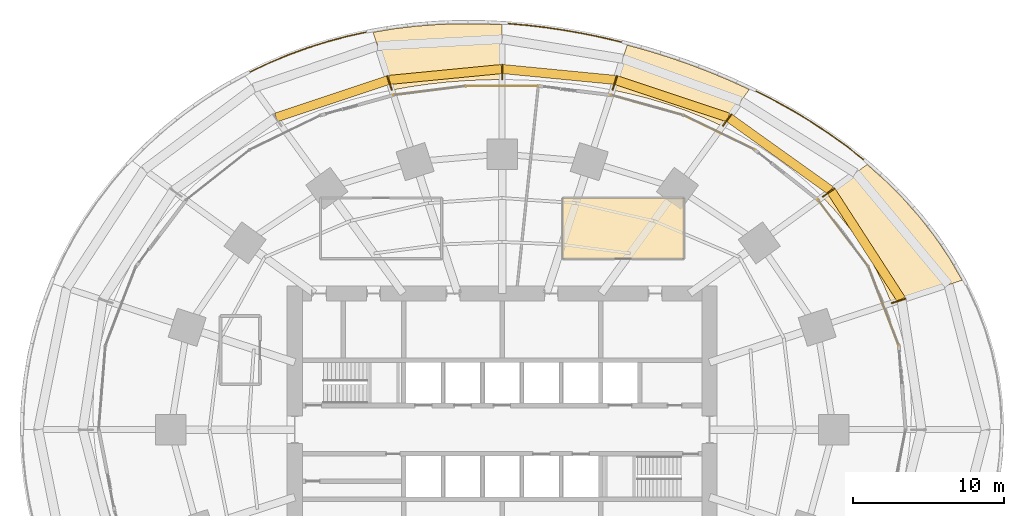
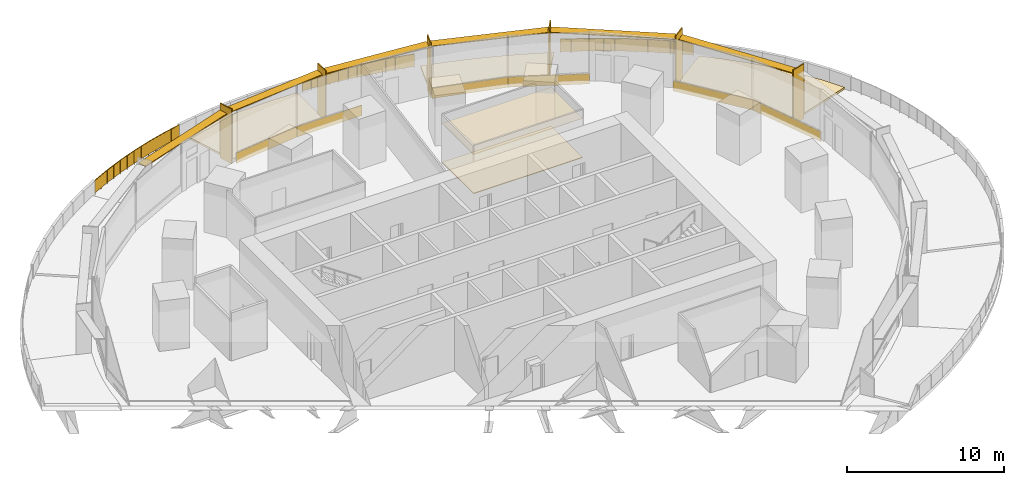
# One storey, part 20 of 20: 12 shading devices, 11 coverings, 3 railings.
"""IFC4 building model written with IfcOpenShell, lengths in metres."""

from ifc_helpers import new_model, si_unit, direction, frame, origin, origin_2d, place, context, subcontext, project, spatial, polyline, rectangle, circle, outline, extrude, material, layer, layer_set, type_object, element, save


model = new_model("IFC4")

# Units and contexts
model_context = context("Model", 3, precision=1e-05, world=origin(), true_north=direction((0.0, 1.0)))
body_context = subcontext(model_context, "Body", "Model", "MODEL_VIEW")
ifc_project = project(units=[si_unit("LENGTHUNIT", "METRE"), si_unit("AREAUNIT", "SQUARE_METRE"), si_unit("VOLUMEUNIT", "CUBIC_METRE"), si_unit("PLANEANGLEUNIT", "RADIAN"), si_unit("MASSUNIT", "GRAM", prefix="KILO")], contexts=[model_context])

# Site, building, storey
site_placement = place(None, origin())
site = spatial("IfcSite", under=ifc_project, at=site_placement, CompositionType="ELEMENT")
building_placement = place(site_placement, origin())
building = spatial("IfcBuilding", under=site, at=building_placement, Name="Marramba Exchange Tower", CompositionType="ELEMENT")
storey_placement = place(building_placement, frame((0.0, 0.0, 19.60009765625)))
storey = spatial("IfcBuildingStorey", under=building, at=storey_placement, Name="L04", CompositionType="ELEMENT", Elevation=19.60009765625)

# Shading devices
ifc_material_1 = material(Name="Aluminium blade, timber-look bronze finish", Category="wood")
ifc_layer_1 = layer(ifc_material_1, 0.080078125)
ifc_layer_set_1 = layer_set([ifc_layer_1], Name="Floor-edge blade 1000x80")
shading_device_type_1 = type_object("IfcShadingDeviceType", Name="Floor-edge blade 1000x80", PredefinedType="USERDEFINED", material=ifc_layer_set_1)
for number, where, z_axis, x_axis, name in (
    (1, (26.193115234375, 8.5107421875, -0.2001953125), (0.0, 0.0, 1.0), (0.951056516295, 0.309016994375, 0.0), "Floor-edge blade FB1 L04 TC02"),
    (2, (21.56298828125, 15.66650390625, -0.2001953125), (0.0, 0.0, 1.0), (0.809016994375, 0.587785252292, 0.0), "Floor-edge blade FB1 L04 TC03"),
    (3, (14.857666015625, 20.449951171875, -0.2001953125), (0.0, 0.0, 1.0), (0.587785252292, 0.809016994375, 0.0), "Floor-edge blade FB1 L04 TC04"),
    (4, (7.444091796875, 22.910888671875, -0.2001953125), (0.0, 0.0, 1.0), (0.309016994375, 0.951056516295, 0.0), "Floor-edge blade FB1 L04 TC05"),
    (5, (0.0, 23.6279296875, -0.2001953125), (0.0, 0.0, 1.0), (0.0, 1.0, 0.0), "Floor-edge blade FB1 L04 TC06"),
    (6, (-7.444091796875, 22.910888671875, -0.2001953125), (0.0, 0.0, 1.0), (-0.309016994375, 0.951056516295, 0.0), "Floor-edge blade FB1 L04 TC07"),
):
    element("IfcShadingDevice", number, at=place(storey_placement, frame(where, z_axis=z_axis, x_axis=x_axis)), inside=storey, type_object=shading_device_type_1, Name=name, ObjectType="FIN", PredefinedType="USERDEFINED", context=body_context, shape_type="SweptSolid", body=[
        extrude(rectangle(XDim=1.0, YDim=0.080078125, at=origin_2d()), origin(), (0.0, 0.0, 1.0), 4.239990234375),
    ])

# Coverings
ifc_material_2 = material(Name="Extensive green roof: growing medium on drainage cell, filter fabric and root-barrier membrane")
ifc_layer_2 = layer(ifc_material_2, 0.14990234375)
ifc_layer_set_2 = layer_set([ifc_layer_2], Name="Planted roof build-up 150")
covering_type_1 = type_object("IfcCoveringType", Name="Planted roof build-up 150", PredefinedType="ROOFING", material=ifc_layer_set_2)
covering_1_placement = place(storey_placement, origin())
element("IfcCovering", 7, at=covering_1_placement, inside=storey, type_object=covering_type_1, Name="Planted roof build-up L04 bay 02", PredefinedType="ROOFING", context=body_context, shape_type="SweptSolid", body=[
    extrude(outline(polyline([(25.717529296875, 8.356201171875), (25.16162109375, 9.65869140625), (24.516357421875, 10.915283203125), (23.786865234375, 12.1201171875), (22.9794921875, 13.267333984375), (22.10107421875, 14.3525390625), (21.158447265625, 15.37255859375), (24.11083984375, 17.517578125), (25.3154296875, 16.440185546875), (26.4716796875, 15.283447265625), (27.568359375, 14.046875), (28.59423828125, 12.73095703125), (29.537353515625, 11.33837890625), (30.385498046875, 9.872802734375), (30.385498046875, 9.872802734375), (25.717529296875, 8.356201171875)])), origin(), (0.0, 0.0, 1.0), 0.14990234375),
])
covering_2_placement = place(storey_placement, origin())
element("IfcCovering", 8, at=covering_2_placement, inside=storey, type_object=covering_type_1, Name="Planted roof build-up L04 bay 04", PredefinedType="ROOFING", context=body_context, shape_type="SweptSolid", body=[
    extrude(outline(polyline([(14.563720703125, 20.04541015625), (13.3701171875, 20.588134765625), (12.164306640625, 21.069091796875), (10.9501953125, 21.4912109375), (9.7314453125, 21.857421875), (8.5107421875, 22.1708984375), (7.289794921875, 22.435302734375), (8.25537109375, 25.407470703125), (9.60888671875, 25.03173828125), (10.95849609375, 24.61328125), (12.30517578125, 24.150146484375), (13.649169921875, 23.64111328125), (14.990478515625, 23.083251953125), (16.328125, 22.4736328125), (14.563720703125, 20.04541015625)])), origin(), (0.0, 0.0, 1.0), 0.14990234375),
])
covering_3_placement = place(storey_placement, origin())
element("IfcCovering", 9, at=covering_3_placement, inside=storey, type_object=covering_type_1, Name="Planted roof build-up L04 bay 06", PredefinedType="ROOFING", context=body_context, shape_type="SweptSolid", body=[
    extrude(outline(polyline([(0.0, 23.1279296875), (-1.211181640625, 23.109619140625), (-2.423095703125, 23.053955078125), (-3.636474609375, 22.96044921875), (-4.85205078125, 22.827392578125), (-6.06982421875, 22.6533203125), (-7.289794921875, 22.435302734375), (-8.529541015625, 26.2509765625), (-8.529541015625, 26.2509765625), (-7.096923828125, 26.486083984375), (-5.666015625, 26.65673828125), (-4.2392578125, 26.765380859375), (-2.818359375, 26.815185546875), (-1.405029296875, 26.80908203125), (0.0, 26.75), (0.0, 23.1279296875)])), origin(), (0.0, 0.0, 1.0), 0.14990234375),
])
ifc_material_3 = material(Name="Steel raised access floor panels", Category="steel")
ifc_layer_3 = layer(ifc_material_3, 0.050048828125)
ifc_layer_set_3 = layer_set([ifc_layer_3], Name="Raised access floor 300")
covering_type_2 = type_object("IfcCoveringType", Name="Raised access floor 300", PredefinedType="FLOORING", material=ifc_layer_set_3)
covering_4_placement = place(storey_placement, frame((0.0, 0.0, 0.25)))
element("IfcCovering", 10, at=covering_4_placement, inside=storey, type_object=covering_type_2, Name="Raised access floor RAF1 L04 Incident Management Room", PredefinedType="FLOORING", context=body_context, shape_type="SweptSolid", body=[
    extrude(outline(polyline([(12.0, 11.300048828125), (4.0, 11.300048828125), (4.0, 15.300048828125), (12.0, 15.300048828125), (12.0, 11.300048828125)])), origin(), (0.0, 0.0, 1.0), 0.0498046875),
])

# Shading devices
ifc_material_4 = material(Name="Aluminium sunshade, bronze anodised", Category="aluminium")
ifc_layer_4 = layer(ifc_material_4, 0.06005859375)
ifc_layer_set_4 = layer_set([ifc_layer_4], Name="SUNSHADE blade 600x60")
shading_device_type_2 = type_object("IfcShadingDeviceType", Name="SUNSHADE blade 600x60", PredefinedType="USERDEFINED", material=ifc_layer_set_4)
shading_device_1_placement = place(storey_placement, frame((24.053955078125, 12.17822265625, 3.4599609375), z_axis=(0.0, 0.0, 1.0), x_axis=(-0.542596596948, 0.839993412462, 0.0)))
element("IfcShadingDevice", 11, at=shading_device_1_placement, inside=storey, type_object=shading_device_type_2, Name="Sunshade SS1 L04 bay 02", ObjectType="SUNSHADE", PredefinedType="USERDEFINED", context=body_context, shape_type="SweptSolid", body=[
    extrude(rectangle(XDim=8.50537109375, YDim=0.60009765625, at=origin_2d()), origin(), (0.0, 0.0, 1.0), 0.06005859375),
])
shading_device_2_placement = place(storey_placement, frame((18.35009765625, 18.19775390625, 3.4599609375), z_axis=(0.0, 0.0, 1.0), x_axis=(-0.813362978246, 0.581756534659, 0.0)))
element("IfcShadingDevice", 12, at=shading_device_2_placement, inside=storey, type_object=shading_device_type_2, Name="Sunshade SS1 L04 bay 03", ObjectType="SUNSHADE", PredefinedType="USERDEFINED", context=body_context, shape_type="SweptSolid", body=[
    extrude(rectangle(XDim=8.218505859375, YDim=0.60009765625, at=origin_2d()), origin(), (0.0, 0.0, 1.0), 0.06005859375),
])
shading_device_3_placement = place(storey_placement, frame((11.24072265625, 21.8564453125, 3.4599609375), z_axis=(0.0, 0.0, 1.0), x_axis=(-0.948697789537, 0.316184288235, 0.0)))
element("IfcShadingDevice", 13, at=shading_device_3_placement, inside=storey, type_object=shading_device_type_2, Name="Sunshade SS1 L04 bay 04", ObjectType="SUNSHADE", PredefinedType="USERDEFINED", context=body_context, shape_type="SweptSolid", body=[
    extrude(rectangle(XDim=7.793212890625, YDim=0.60009765625, at=origin_2d()), origin(), (0.0, 0.0, 1.0), 0.06005859375),
])
for number, where, z_axis, x_axis, name in (
    (14, (3.7529296875, 23.464599609375, 3.4599609375), (0.0, 0.0, 1.0), (-0.995342876176, 0.096397919302, 0.0), "Sunshade SS1 L04 bay 05"),
    (15, (-3.7529296875, 23.464599609375, 3.4599609375), (0.0, 0.0, 1.0), (-0.995342876176, -0.096397919302, 0.0), "Sunshade SS1 L04 bay 06"),
):
    element("IfcShadingDevice", number, at=place(storey_placement, frame(where, z_axis=z_axis, x_axis=x_axis)), inside=storey, type_object=shading_device_type_2, Name=name, ObjectType="SUNSHADE", PredefinedType="USERDEFINED", context=body_context, shape_type="SweptSolid", body=[
        extrude(rectangle(XDim=7.461181640625, YDim=0.60009765625, at=origin_2d()), origin(), (0.0, 0.0, 1.0), 0.06005859375),
    ])
shading_device_4_placement = place(storey_placement, frame((-11.24072265625, 21.8564453125, 3.4599609375), z_axis=(0.0, 0.0, 1.0), x_axis=(-0.948697789537, -0.316184288235, 0.0)))
element("IfcShadingDevice", 16, at=shading_device_4_placement, inside=storey, type_object=shading_device_type_2, Name="Sunshade SS1 L04 bay 07", ObjectType="SUNSHADE", PredefinedType="USERDEFINED", context=body_context, shape_type="SweptSolid", body=[
    extrude(rectangle(XDim=7.793212890625, YDim=0.60009765625, at=origin_2d()), origin(), (0.0, 0.0, 1.0), 0.06005859375),
])

# Coverings
ifc_material_5 = material(Name="Aluminium spandrel panel, bronze anodised, insulated", Category="aluminium")
ifc_layer_5 = layer(ifc_material_5, 0.050048828125)
ifc_layer_set_5 = layer_set([ifc_layer_5], Name="Spandrel panel 800")
covering_type_3 = type_object("IfcCoveringType", Name="Spandrel panel 800", PredefinedType="CLADDING", material=ifc_layer_set_5)
covering_5_placement = place(storey_placement, frame((25.198974609375, 8.171142578125, 0.0), z_axis=(0.0, 0.0, 1.0), x_axis=(-0.359525512701, 0.933135255854, 0.0)))
element("IfcCovering", 17, at=covering_5_placement, inside=storey, type_object=covering_type_3, Name="Spandrel panel SP1 L04 F02", PredefinedType="CLADDING", context=body_context, shape_type="SweptSolid", body=[
    extrude(rectangle(XDim=5.57666015625, YDim=0.050048828125, at=origin_2d()), origin(), (0.0, 0.0, 1.0), 0.800048828125),
])
covering_6_placement = place(storey_placement, frame((22.535888671875, 12.969970703125, 0.0), z_axis=(0.0, 0.0, 1.0), x_axis=(-0.602989761876, 0.797748924834, 0.0)))
element("IfcCovering", 18, at=covering_6_placement, inside=storey, type_object=covering_type_3, Name="Spandrel panel SP1 L04 F03", PredefinedType="CLADDING", context=body_context, shape_type="SweptSolid", body=[
    extrude(rectangle(XDim=5.5078125, YDim=0.050048828125, at=origin_2d()), origin(), (0.0, 0.0, 1.0), 0.800048828125),
])
covering_7_placement = place(storey_placement, frame((14.324951171875, 19.634765625, 0.0), z_axis=(0.0, 0.0, 1.0), x_axis=(-0.899963432359, 0.435965389012, 0.0)))
element("IfcCovering", 19, at=covering_7_placement, inside=storey, type_object=covering_type_3, Name="Spandrel panel SP1 L04 F05", PredefinedType="CLADDING", context=body_context, shape_type="SweptSolid", body=[
    extrude(rectangle(XDim=5.1904296875, YDim=0.050048828125, at=origin_2d()), origin(), (0.0, 0.0, 1.0), 0.800048828125),
])
covering_8_placement = place(storey_placement, frame((9.58544921875, 21.434326171875, 0.0), z_axis=(0.0, 0.0, 1.0), x_axis=(-0.963472098411, 0.267808729475, 0.0)))
element("IfcCovering", 20, at=covering_8_placement, inside=storey, type_object=covering_type_3, Name="Spandrel panel SP1 L04 F06", PredefinedType="CLADDING", context=body_context, shape_type="SweptSolid", body=[
    extrude(rectangle(XDim=4.989990234375, YDim=0.050048828125, at=origin_2d()), origin(), (0.0, 0.0, 1.0), 0.800048828125),
])
covering_9_placement = place(storey_placement, frame((0.0, 22.7060546875, 0.0), z_axis=(0.0, 0.0, 1.0), x_axis=(-1.0, 0.0, 0.0)))
element("IfcCovering", 21, at=covering_9_placement, inside=storey, type_object=covering_type_3, Name="Spandrel panel SP1 L04 F08", PredefinedType="CLADDING", context=body_context, shape_type="SweptSolid", body=[
    extrude(rectangle(XDim=4.77294921875, YDim=0.050048828125, at=origin_2d()), origin(), (0.0, 0.0, 1.0), 0.800048828125),
])
covering_10_placement = place(storey_placement, frame((-4.783935546875, 22.404296875, 0.0), z_axis=(0.0, 0.0, 1.0), x_axis=(-0.992172768222, -0.124872727203, 0.0)))
element("IfcCovering", 22, at=covering_10_placement, inside=storey, type_object=covering_type_3, Name="Spandrel panel SP1 L04 F09", PredefinedType="CLADDING", context=body_context, shape_type="SweptSolid", body=[
    extrude(rectangle(XDim=4.832763671875, YDim=0.050048828125, at=origin_2d()), origin(), (0.0, 0.0, 1.0), 0.800048828125),
])
ifc_material_6 = material(Name="Mineral fibre ceiling tiles", Category="gypsum")
ifc_layer_6 = layer(ifc_material_6, 0.02001953125)
ifc_layer_set_6 = layer_set([ifc_layer_6], Name="Suspended ceiling 20")
covering_type_4 = type_object("IfcCoveringType", Name="Suspended ceiling 20", PredefinedType="CEILING", material=ifc_layer_set_6)
covering_11_placement = place(storey_placement, frame((0.0, 0.0, 3.2998046875)))
element("IfcCovering", 23, at=covering_11_placement, inside=storey, type_object=covering_type_4, Name="Ceiling CL1 L04 Incident Management Room", PredefinedType="CEILING", context=body_context, shape_type="SweptSolid", body=[
    extrude(outline(polyline([(12.0, 11.300048828125), (4.0, 11.300048828125), (4.0, 15.300048828125), (12.0, 15.300048828125), (12.0, 11.300048828125)])), origin(), (0.0, 0.0, 1.0), 0.02001953125),
])

# Railings
ifc_material_7 = material(Name="Bronze anodised aluminium and laminated glass guard", Category="aluminium")
railing_type = type_object("IfcRailingType", Name="Terrace guard 1100", PredefinedType="GUARDRAIL", material=ifc_material_7)
railing_1_placement = place(storey_placement, frame((23.878173828125, 17.8388671875, 0.0)))
element("IfcRailing", 24, at=railing_1_placement, inside=storey, type_object=railing_type, Name="Terrace guard GR1 L04 bay 03", PredefinedType="GUARDRAIL", context=body_context, shape_type="SweptSolid", body=[
    extrude(circle(Radius=0.02392578125, at=origin_2d()), frame((0.0, 0.0, 1.076171875), z_axis=(-0.785281705909, 0.61913862936, 0.0), x_axis=(-0.61913862936, -0.785281705909, 0.0)), (0.0, 0.0, 1.0), 1.456298828125),
    extrude(circle(Radius=0.02392578125, at=origin_2d()), frame((-1.1435546875, 0.901611328125, 1.076171875), z_axis=(-0.811975150724, 0.583692003206, 0.0), x_axis=(-0.583692003206, -0.811975150724, 0.0)), (0.0, 0.0, 1.0), 1.4384765625),
    extrude(circle(Radius=0.02392578125, at=origin_2d()), frame((-2.3115234375, 1.7412109375, 1.076171875), z_axis=(-0.835315284009, 0.549771203594, 0.0), x_axis=(-0.549771203594, -0.835315284009, 0.0)), (0.0, 0.0, 1.0), 1.420166015625),
    extrude(circle(Radius=0.02392578125, at=origin_2d()), frame((-3.497802734375, 2.52197265625, 1.076171875), z_axis=(-0.856199613572, 0.516645160356, 0.0), x_axis=(-0.516645160356, -0.856199613572, 0.0)), (0.0, 0.0, 1.0), 1.402099609375),
    extrude(circle(Radius=0.02392578125, at=origin_2d()), frame((-4.6982421875, 3.246337890625, 1.076171875), z_axis=(-0.874415044311, 0.485178658108, 0.0), x_axis=(-0.485178658108, -0.874415044311, 0.0)), (0.0, 0.0, 1.0), 1.38427734375),
    extrude(circle(Radius=0.02392578125, at=origin_2d()), frame((-5.90869140625, 3.91796875, 1.076171875), z_axis=(-0.890754492712, 0.454484800311, 0.0), x_axis=(-0.454484800311, -0.890754492712, 0.0)), (0.0, 0.0, 1.0), 1.3671875),
    extrude(circle(Radius=0.02099609375, at=origin_2d()), origin(), (0.0, 0.0, 1.0), 1.052001953125),
    extrude(circle(Radius=0.02099609375, at=origin_2d()), frame((-0.57177734375, 0.45068359375, 0.0)), (0.0, 0.0, 1.0), 1.052001953125),
    extrude(circle(Radius=0.02099609375, at=origin_2d()), frame((-1.1435546875, 0.901611328125, 0.0)), (0.0, 0.0, 1.0), 1.052001953125),
    extrude(circle(Radius=0.02099609375, at=origin_2d()), frame((-1.7275390625, 1.3212890625, 0.0)), (0.0, 0.0, 1.0), 1.052001953125),
    extrude(circle(Radius=0.02099609375, at=origin_2d()), frame((-2.3115234375, 1.7412109375, 0.0)), (0.0, 0.0, 1.0), 1.052001953125),
    extrude(circle(Radius=0.02099609375, at=origin_2d()), frame((-2.90478515625, 2.131591796875, 0.0)), (0.0, 0.0, 1.0), 1.052001953125),
    extrude(circle(Radius=0.02099609375, at=origin_2d()), frame((-3.497802734375, 2.52197265625, 0.0)), (0.0, 0.0, 1.0), 1.052001953125),
    extrude(circle(Radius=0.02099609375, at=origin_2d()), frame((-4.09814453125, 2.88427734375, 0.0)), (0.0, 0.0, 1.0), 1.052001953125),
    extrude(circle(Radius=0.02099609375, at=origin_2d()), frame((-4.6982421875, 3.246337890625, 0.0)), (0.0, 0.0, 1.0), 1.052001953125),
    extrude(circle(Radius=0.02099609375, at=origin_2d()), frame((-5.303466796875, 3.58203125, 0.0)), (0.0, 0.0, 1.0), 1.052001953125),
    extrude(circle(Radius=0.02099609375, at=origin_2d()), frame((-5.90869140625, 3.91796875, 0.0)), (0.0, 0.0, 1.0), 1.052001953125),
    extrude(circle(Radius=0.02099609375, at=origin_2d()), frame((-6.517578125, 4.228515625, 0.0)), (0.0, 0.0, 1.0), 1.052001953125),
    extrude(circle(Radius=0.02099609375, at=origin_2d()), frame((-7.12646484375, 4.539306640625, 0.0)), (0.0, 0.0, 1.0), 1.052001953125),
    extrude(rectangle(XDim=0.710205078125, YDim=0.02001953125, at=origin_2d()), frame((-0.285888671875, 0.225341796875, 0.10009765625), z_axis=(0.0, 0.0, 1.0), x_axis=(-0.785281705909, 0.61913862936, 0.0)), (0.0, 0.0, 1.0), 0.951904296875),
    extrude(rectangle(XDim=0.710205078125, YDim=0.02001953125, at=origin_2d()), frame((-0.857666015625, 0.67626953125, 0.10009765625), z_axis=(0.0, 0.0, 1.0), x_axis=(-0.785281705909, 0.61913862936, 0.0)), (0.0, 0.0, 1.0), 0.951904296875),
    extrude(rectangle(XDim=0.701171875, YDim=0.02001953125, at=origin_2d()), frame((-1.435546875, 1.111572265625, 0.10009765625), z_axis=(0.0, 0.0, 1.0), x_axis=(-0.811975150724, 0.583692003206, 0.0)), (0.0, 0.0, 1.0), 0.951904296875),
    extrude(rectangle(XDim=0.701171875, YDim=0.02001953125, at=origin_2d()), frame((-2.01953125, 1.53125, 0.10009765625), z_axis=(0.0, 0.0, 1.0), x_axis=(-0.811975150724, 0.583692003206, 0.0)), (0.0, 0.0, 1.0), 0.951904296875),
    extrude(rectangle(XDim=0.692138671875, YDim=0.02001953125, at=origin_2d()), frame((-2.608154296875, 1.9365234375, 0.10009765625), z_axis=(0.0, 0.0, 1.0), x_axis=(-0.835315284009, 0.549771203594, 0.0)), (0.0, 0.0, 1.0), 0.951904296875),
    extrude(rectangle(XDim=0.692138671875, YDim=0.02001953125, at=origin_2d()), frame((-3.201171875, 2.32666015625, 0.10009765625), z_axis=(0.0, 0.0, 1.0), x_axis=(-0.835315284009, 0.549771203594, 0.0)), (0.0, 0.0, 1.0), 0.951904296875),
    extrude(rectangle(XDim=0.68310546875, YDim=0.02001953125, at=origin_2d()), frame((-3.7978515625, 2.703125, 0.10009765625), z_axis=(0.0, 0.0, 1.0), x_axis=(-0.856199613572, 0.516645160356, 0.0)), (0.0, 0.0, 1.0), 0.951904296875),
    extrude(rectangle(XDim=0.68310546875, YDim=0.02001953125, at=origin_2d()), frame((-4.398193359375, 3.065185546875, 0.10009765625), z_axis=(0.0, 0.0, 1.0), x_axis=(-0.856199613572, 0.516645160356, 0.0)), (0.0, 0.0, 1.0), 0.951904296875),
    extrude(rectangle(XDim=0.674072265625, YDim=0.02001953125, at=origin_2d()), frame((-5.0009765625, 3.414306640625, 0.10009765625), z_axis=(0.0, 0.0, 1.0), x_axis=(-0.874415044311, 0.485178658108, 0.0)), (0.0, 0.0, 1.0), 0.951904296875),
    extrude(rectangle(XDim=0.674072265625, YDim=0.02001953125, at=origin_2d()), frame((-5.60595703125, 3.75, 0.10009765625), z_axis=(0.0, 0.0, 1.0), x_axis=(-0.874415044311, 0.485178658108, 0.0)), (0.0, 0.0, 1.0), 0.951904296875),
    extrude(rectangle(XDim=0.66552734375, YDim=0.02001953125, at=origin_2d()), frame((-6.213134765625, 4.0732421875, 0.10009765625), z_axis=(0.0, 0.0, 1.0), x_axis=(-0.890754492712, 0.454484800311, 0.0)), (0.0, 0.0, 1.0), 0.951904296875),
    extrude(rectangle(XDim=0.66552734375, YDim=0.02001953125, at=origin_2d()), frame((-6.822021484375, 4.384033203125, 0.10009765625), z_axis=(0.0, 0.0, 1.0), x_axis=(-0.890754492712, 0.454484800311, 0.0)), (0.0, 0.0, 1.0), 0.951904296875),
])
railing_2_placement = place(storey_placement, frame((7.900634765625, 25.601806640625, 0.0)))
element("IfcRailing", 25, at=railing_2_placement, inside=storey, type_object=railing_type, Name="Terrace guard GR1 L04 bay 05", PredefinedType="GUARDRAIL", context=body_context, shape_type="SweptSolid", body=[
    extrude(circle(Radius=0.02392578125, at=origin_2d()), frame((0.0, 0.0, 1.076171875), z_axis=(-0.97285980353, 0.231395338493, 0.0), x_axis=(-0.231395338493, -0.97285980353, 0.0)), (0.0, 0.0, 1.0), 1.270263671875),
    extrude(circle(Radius=0.02392578125, at=origin_2d()), frame((-1.23583984375, 0.2939453125, 1.076171875), z_axis=(-0.978893796938, 0.204369602234, 0.0), x_axis=(-0.204369602234, -0.978893796938, 0.0)), (0.0, 0.0, 1.0), 1.267578125),
    extrude(circle(Radius=0.02392578125, at=origin_2d()), frame((-2.4765625, 0.552978515625, 1.076171875), z_axis=(-0.984314161815, 0.176424575526, 0.0), x_axis=(-0.176424575526, -0.984314161815, 0.0)), (0.0, 0.0, 1.0), 1.26611328125),
    extrude(circle(Radius=0.02392578125, at=origin_2d()), frame((-3.722900390625, 0.7763671875, 1.076171875), z_axis=(-0.98907583668, 0.147407561866, 0.0), x_axis=(-0.147407561866, -0.98907583668, 0.0)), (0.0, 0.0, 1.0), 1.26708984375),
    extrude(circle(Radius=0.02392578125, at=origin_2d()), frame((-4.97607421875, 0.963134765625, 1.076171875), z_axis=(-0.993064966408, 0.117566885192, 0.0), x_axis=(-0.117566885192, -0.993064966408, 0.0)), (0.0, 0.0, 1.0), 1.268798828125),
    extrude(circle(Radius=0.02392578125, at=origin_2d()), frame((-6.236083984375, 1.1123046875, 1.076171875), z_axis=(-0.996262165986, 0.086381112658, 0.0), x_axis=(-0.086381112658, -0.996262165986, 0.0)), (0.0, 0.0, 1.0), 1.271728515625),
    extrude(circle(Radius=0.02099609375, at=origin_2d()), origin(), (0.0, 0.0, 1.0), 1.052001953125),
    extrude(circle(Radius=0.02099609375, at=origin_2d()), frame((-0.617919921875, 0.14697265625, 0.0)), (0.0, 0.0, 1.0), 1.052001953125),
    extrude(circle(Radius=0.02099609375, at=origin_2d()), frame((-1.23583984375, 0.2939453125, 0.0)), (0.0, 0.0, 1.0), 1.052001953125),
    extrude(circle(Radius=0.02099609375, at=origin_2d()), frame((-1.856201171875, 0.42333984375, 0.0)), (0.0, 0.0, 1.0), 1.052001953125),
    extrude(circle(Radius=0.02099609375, at=origin_2d()), frame((-2.4765625, 0.552978515625, 0.0)), (0.0, 0.0, 1.0), 1.052001953125),
    extrude(circle(Radius=0.02099609375, at=origin_2d()), frame((-3.099609375, 0.66455078125, 0.0)), (0.0, 0.0, 1.0), 1.052001953125),
    extrude(circle(Radius=0.02099609375, at=origin_2d()), frame((-3.722900390625, 0.7763671875, 0.0)), (0.0, 0.0, 1.0), 1.052001953125),
    extrude(circle(Radius=0.02099609375, at=origin_2d()), frame((-4.349609375, 0.86962890625, 0.0)), (0.0, 0.0, 1.0), 1.052001953125),
    extrude(circle(Radius=0.02099609375, at=origin_2d()), frame((-4.97607421875, 0.963134765625, 0.0)), (0.0, 0.0, 1.0), 1.052001953125),
    extrude(circle(Radius=0.02099609375, at=origin_2d()), frame((-5.60595703125, 1.03759765625, 0.0)), (0.0, 0.0, 1.0), 1.052001953125),
    extrude(circle(Radius=0.02099609375, at=origin_2d()), frame((-6.236083984375, 1.1123046875, 0.0)), (0.0, 0.0, 1.0), 1.052001953125),
    extrude(circle(Radius=0.02099609375, at=origin_2d()), frame((-6.86962890625, 1.167236328125, 0.0)), (0.0, 0.0, 1.0), 1.052001953125),
    extrude(circle(Radius=0.02099609375, at=origin_2d()), frame((-7.503173828125, 1.22216796875, 0.0)), (0.0, 0.0, 1.0), 1.052001953125),
    extrude(rectangle(XDim=0.6171875, YDim=0.02001953125, at=origin_2d()), frame((-0.30908203125, 0.073486328125, 0.10009765625), z_axis=(0.0, 0.0, 1.0), x_axis=(-0.97285980353, 0.231395338493, 0.0)), (0.0, 0.0, 1.0), 0.951904296875),
    extrude(rectangle(XDim=0.6171875, YDim=0.02001953125, at=origin_2d()), frame((-0.9267578125, 0.220458984375, 0.10009765625), z_axis=(0.0, 0.0, 1.0), x_axis=(-0.97285980353, 0.231395338493, 0.0)), (0.0, 0.0, 1.0), 0.951904296875),
    extrude(rectangle(XDim=0.61572265625, YDim=0.02001953125, at=origin_2d()), frame((-1.5458984375, 0.358642578125, 0.10009765625), z_axis=(0.0, 0.0, 1.0), x_axis=(-0.978893796938, 0.204369602234, 0.0)), (0.0, 0.0, 1.0), 0.951904296875),
    extrude(rectangle(XDim=0.61572265625, YDim=0.02001953125, at=origin_2d()), frame((-2.16650390625, 0.48828125, 0.10009765625), z_axis=(0.0, 0.0, 1.0), x_axis=(-0.978893796938, 0.204369602234, 0.0)), (0.0, 0.0, 1.0), 0.951904296875),
    extrude(rectangle(XDim=0.614990234375, YDim=0.02001953125, at=origin_2d()), frame((-2.7880859375, 0.60888671875, 0.10009765625), z_axis=(0.0, 0.0, 1.0), x_axis=(-0.984314161815, 0.176424575526, 0.0)), (0.0, 0.0, 1.0), 0.951904296875),
    extrude(rectangle(XDim=0.614990234375, YDim=0.02001953125, at=origin_2d()), frame((-3.411376953125, 0.720458984375, 0.10009765625), z_axis=(0.0, 0.0, 1.0), x_axis=(-0.984314161815, 0.176424575526, 0.0)), (0.0, 0.0, 1.0), 0.951904296875),
    extrude(rectangle(XDim=0.615478515625, YDim=0.02001953125, at=origin_2d()), frame((-4.0361328125, 0.822998046875, 0.10009765625), z_axis=(0.0, 0.0, 1.0), x_axis=(-0.98907583668, 0.147407561866, 0.0)), (0.0, 0.0, 1.0), 0.951904296875),
    extrude(rectangle(XDim=0.615478515625, YDim=0.02001953125, at=origin_2d()), frame((-4.662841796875, 0.91650390625, 0.10009765625), z_axis=(0.0, 0.0, 1.0), x_axis=(-0.98907583668, 0.147407561866, 0.0)), (0.0, 0.0, 1.0), 0.951904296875),
    extrude(rectangle(XDim=0.616455078125, YDim=0.02001953125, at=origin_2d()), frame((-5.291015625, 1.00048828125, 0.10009765625), z_axis=(0.0, 0.0, 1.0), x_axis=(-0.993064966408, 0.117566885192, 0.0)), (0.0, 0.0, 1.0), 0.951904296875),
    extrude(rectangle(XDim=0.616455078125, YDim=0.02001953125, at=origin_2d()), frame((-5.921142578125, 1.074951171875, 0.10009765625), z_axis=(0.0, 0.0, 1.0), x_axis=(-0.993064966408, 0.117566885192, 0.0)), (0.0, 0.0, 1.0), 0.951904296875),
    extrude(rectangle(XDim=0.617919921875, YDim=0.02001953125, at=origin_2d()), frame((-6.552734375, 1.1396484375, 0.10009765625), z_axis=(0.0, 0.0, 1.0), x_axis=(-0.996262165986, 0.086381112658, 0.0)), (0.0, 0.0, 1.0), 0.951904296875),
    extrude(rectangle(XDim=0.617919921875, YDim=0.02001953125, at=origin_2d()), frame((-7.1865234375, 1.19482421875, 0.10009765625), z_axis=(0.0, 0.0, 1.0), x_axis=(-0.996262165986, 0.086381112658, 0.0)), (0.0, 0.0, 1.0), 0.951904296875),
])
railing_3_placement = place(storey_placement, frame((-8.95458984375, 26.26953125, 0.0)))
element("IfcRailing", 26, at=railing_3_placement, inside=storey, type_object=railing_type, Name="Terrace guard GR1 L04 bay 07", PredefinedType="GUARDRAIL", context=body_context, shape_type="SweptSolid", body=[
    extrude(circle(Radius=0.02392578125, at=origin_2d()), frame((0.0, 0.0, 1.076171875), z_axis=(-0.976062503134, -0.217490206619, 0.0), x_axis=(0.217490206619, -0.976062503134, 0.0)), (0.0, 0.0, 1.0), 1.339111328125),
    extrude(circle(Radius=0.02392578125, at=origin_2d()), frame((-1.30712890625, -0.291259765625, 1.076171875), z_axis=(-0.96576765423, -0.259408631398, 0.0), x_axis=(0.259408631398, -0.96576765423, 0.0)), (0.0, 0.0, 1.0), 1.3486328125),
    extrude(circle(Radius=0.02392578125, at=origin_2d()), frame((-2.609619140625, -0.64111328125, 1.076171875), z_axis=(-0.953457657103, -0.301526940938, 0.0), x_axis=(0.301526940938, -0.953457657103, 0.0)), (0.0, 0.0, 1.0), 1.358642578125),
    extrude(circle(Radius=0.02392578125, at=origin_2d()), frame((-3.905029296875, -1.05078125, 1.076171875), z_axis=(-0.938899382122, -0.344191734723, 0.0), x_axis=(0.344191734723, -0.938899382122, 0.0)), (0.0, 0.0, 1.0), 1.3681640625),
    extrude(circle(Radius=0.02392578125, at=origin_2d()), frame((-5.189697265625, -1.521728515625, 1.076171875), z_axis=(-0.922051660644, -0.387066835448, 0.0), x_axis=(0.387066835448, -0.922051660644, 0.0)), (0.0, 0.0, 1.0), 1.378173828125),
    extrude(circle(Radius=0.02392578125, at=origin_2d()), frame((-6.46044921875, -2.05517578125, 1.076171875), z_axis=(-0.902912525292, -0.429824349788, 0.0), x_axis=(0.429824349788, -0.902912525292, 0.0)), (0.0, 0.0, 1.0), 1.38818359375),
    extrude(circle(Radius=0.02099609375, at=origin_2d()), origin(), (0.0, 0.0, 1.0), 1.052001953125),
    extrude(circle(Radius=0.02099609375, at=origin_2d()), frame((-0.653564453125, -0.1455078125, 0.0)), (0.0, 0.0, 1.0), 1.052001953125),
    extrude(circle(Radius=0.02099609375, at=origin_2d()), frame((-1.30712890625, -0.291259765625, 0.0)), (0.0, 0.0, 1.0), 1.052001953125),
    extrude(circle(Radius=0.02099609375, at=origin_2d()), frame((-1.95849609375, -0.46630859375, 0.0)), (0.0, 0.0, 1.0), 1.052001953125),
    extrude(circle(Radius=0.02099609375, at=origin_2d()), frame((-2.609619140625, -0.64111328125, 0.0)), (0.0, 0.0, 1.0), 1.052001953125),
    extrude(circle(Radius=0.02099609375, at=origin_2d()), frame((-3.25732421875, -0.845947265625, 0.0)), (0.0, 0.0, 1.0), 1.052001953125),
    extrude(circle(Radius=0.02099609375, at=origin_2d()), frame((-3.905029296875, -1.05078125, 0.0)), (0.0, 0.0, 1.0), 1.052001953125),
    extrude(circle(Radius=0.02099609375, at=origin_2d()), frame((-4.54736328125, -1.2861328125, 0.0)), (0.0, 0.0, 1.0), 1.052001953125),
    extrude(circle(Radius=0.02099609375, at=origin_2d()), frame((-5.189697265625, -1.521728515625, 0.0)), (0.0, 0.0, 1.0), 1.052001953125),
    extrude(circle(Radius=0.02099609375, at=origin_2d()), frame((-5.8251953125, -1.78857421875, 0.0)), (0.0, 0.0, 1.0), 1.052001953125),
    extrude(circle(Radius=0.02099609375, at=origin_2d()), frame((-6.46044921875, -2.05517578125, 0.0)), (0.0, 0.0, 1.0), 1.052001953125),
    extrude(circle(Radius=0.02099609375, at=origin_2d()), frame((-7.087158203125, -2.353515625, 0.0)), (0.0, 0.0, 1.0), 1.052001953125),
    extrude(circle(Radius=0.02099609375, at=origin_2d()), frame((-7.7138671875, -2.65185546875, 0.0)), (0.0, 0.0, 1.0), 1.052001953125),
    extrude(rectangle(XDim=0.651611328125, YDim=0.02001953125, at=origin_2d()), frame((-0.32666015625, -0.07275390625, 0.10009765625), z_axis=(0.0, 0.0, 1.0), x_axis=(-0.976062503134, -0.217490206619, 0.0)), (0.0, 0.0, 1.0), 0.951904296875),
    extrude(rectangle(XDim=0.651611328125, YDim=0.02001953125, at=origin_2d()), frame((-0.98046875, -0.218505859375, 0.10009765625), z_axis=(0.0, 0.0, 1.0), x_axis=(-0.976062503134, -0.217490206619, 0.0)), (0.0, 0.0, 1.0), 0.951904296875),
    extrude(rectangle(XDim=0.65625, YDim=0.02001953125, at=origin_2d()), frame((-1.6328125, -0.378662109375, 0.10009765625), z_axis=(0.0, 0.0, 1.0), x_axis=(-0.96576765423, -0.259408631398, 0.0)), (0.0, 0.0, 1.0), 0.951904296875),
    extrude(rectangle(XDim=0.65625, YDim=0.02001953125, at=origin_2d()), frame((-2.283935546875, -0.5537109375, 0.10009765625), z_axis=(0.0, 0.0, 1.0), x_axis=(-0.96576765423, -0.259408631398, 0.0)), (0.0, 0.0, 1.0), 0.951904296875),
    extrude(rectangle(XDim=0.661376953125, YDim=0.02001953125, at=origin_2d()), frame((-2.93359375, -0.74365234375, 0.10009765625), z_axis=(0.0, 0.0, 1.0), x_axis=(-0.953457657103, -0.301526940938, 0.0)), (0.0, 0.0, 1.0), 0.951904296875),
    extrude(rectangle(XDim=0.661376953125, YDim=0.02001953125, at=origin_2d()), frame((-3.5810546875, -0.9482421875, 0.10009765625), z_axis=(0.0, 0.0, 1.0), x_axis=(-0.953457657103, -0.301526940938, 0.0)), (0.0, 0.0, 1.0), 0.951904296875),
    extrude(rectangle(XDim=0.666259765625, YDim=0.02001953125, at=origin_2d()), frame((-4.22607421875, -1.16845703125, 0.10009765625), z_axis=(0.0, 0.0, 1.0), x_axis=(-0.938899382122, -0.344191734723, 0.0)), (0.0, 0.0, 1.0), 0.951904296875),
    extrude(rectangle(XDim=0.666259765625, YDim=0.02001953125, at=origin_2d()), frame((-4.86865234375, -1.404052734375, 0.10009765625), z_axis=(0.0, 0.0, 1.0), x_axis=(-0.938899382122, -0.344191734723, 0.0)), (0.0, 0.0, 1.0), 0.951904296875),
    extrude(rectangle(XDim=0.671142578125, YDim=0.02001953125, at=origin_2d()), frame((-5.50732421875, -1.655029296875, 0.10009765625), z_axis=(0.0, 0.0, 1.0), x_axis=(-0.922051660644, -0.387066835448, 0.0)), (0.0, 0.0, 1.0), 0.951904296875),
    extrude(rectangle(XDim=0.671142578125, YDim=0.02001953125, at=origin_2d()), frame((-6.142822265625, -1.921875, 0.10009765625), z_axis=(0.0, 0.0, 1.0), x_axis=(-0.922051660644, -0.387066835448, 0.0)), (0.0, 0.0, 1.0), 0.951904296875),
    extrude(rectangle(XDim=0.676025390625, YDim=0.02001953125, at=origin_2d()), frame((-6.77392578125, -2.204345703125, 0.10009765625), z_axis=(0.0, 0.0, 1.0), x_axis=(-0.902912525292, -0.429824349788, 0.0)), (0.0, 0.0, 1.0), 0.951904296875),
    extrude(rectangle(XDim=0.676025390625, YDim=0.02001953125, at=origin_2d()), frame((-7.400390625, -2.502685546875, 0.10009765625), z_axis=(0.0, 0.0, 1.0), x_axis=(-0.902912525292, -0.429824349788, 0.0)), (0.0, 0.0, 1.0), 0.951904296875),
])

save(model, "model.ifc")
